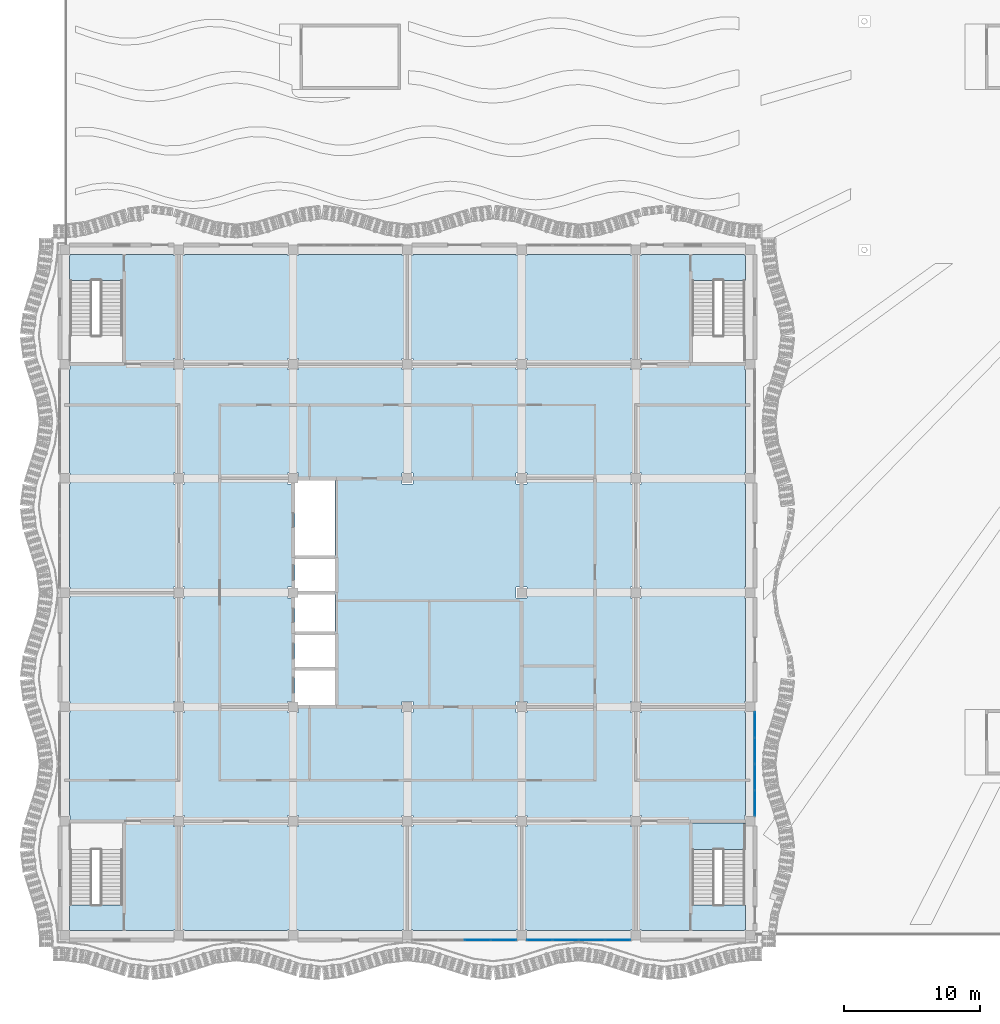
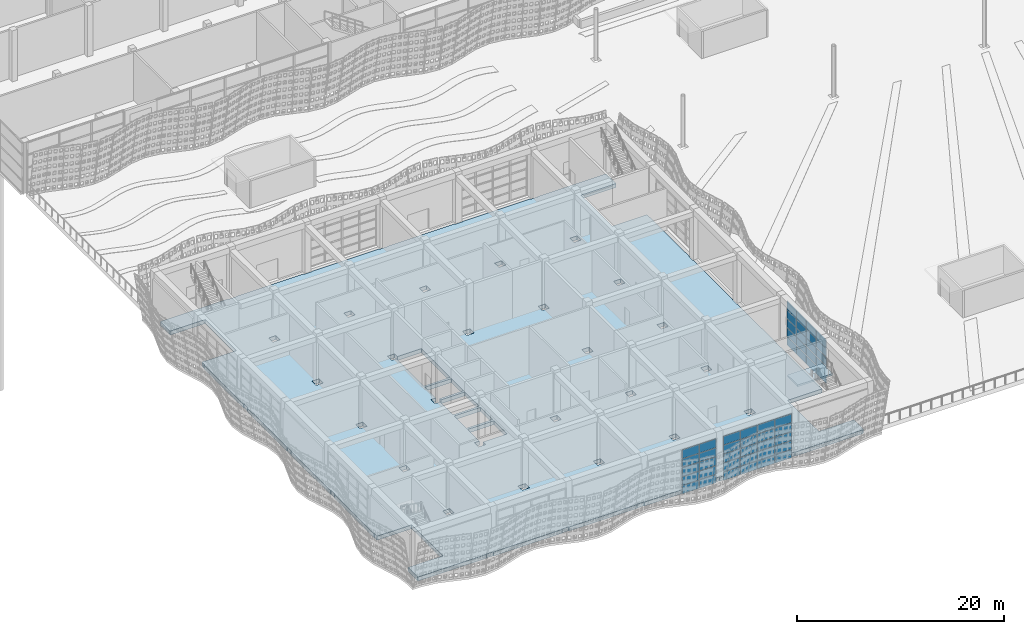
# One storey, part 78 of 210: 50 plates, 2 slabs, 4 elements without a shape of their own.
"""IFC4 building model written with IfcOpenShell, lengths in metres."""

from ifc_helpers import new_model, si_unit, direction, frame, origin, origin_2d, place, context, subcontext, project, spatial, polyline, rectangle, outline, extrude, material, layer, layer_set, type_object, element, aggregate, save


model = new_model("IFC4")

# Units and contexts
model_context = context("Model", 3, precision=1e-05, world=origin(), true_north=direction((0.0, 1.0)))
body_context = subcontext(model_context, "Body", "Model", "MODEL_VIEW")
ifc_project = project(units=[si_unit("LENGTHUNIT", "METRE"), si_unit("AREAUNIT", "SQUARE_METRE"), si_unit("VOLUMEUNIT", "CUBIC_METRE"), si_unit("PLANEANGLEUNIT", "RADIAN"), si_unit("MASSUNIT", "GRAM", prefix="KILO")], contexts=[model_context])

# Site, building, storey
site_placement = place(None, origin())
site = spatial("IfcSite", under=ifc_project, at=site_placement, CompositionType="ELEMENT")
building_placement = place(site_placement, origin())
building = spatial("IfcBuilding", under=site, at=building_placement, Name="Rain Tree Exposition and Congress Centre", CompositionType="ELEMENT")
storey_placement = place(building_placement, origin())
storey = spatial("IfcBuildingStorey", under=building, at=storey_placement, Name="L00", CompositionType="ELEMENT", Elevation=0.0)

# Curtain wall, plates
ifc_material_1 = material(Name="Aluminium curtain wall", Category="aluminium")
curtain_wall_type = type_object("IfcCurtainWallType", Name="Wing curtain wall 1925", PredefinedType="NOTDEFINED", material=ifc_material_1)
curtain_wall_1_placement = place(storey_placement, origin())
curtain_wall_1 = element("IfcCurtainWall", 1, at=curtain_wall_1_placement, inside=storey, type_object=curtain_wall_type, Name="Curtain wall CWW102", PredefinedType="NOTDEFINED")
ifc_material_2 = material(Name="Double glazed unit", Category="glass")
ifc_layer_1 = layer(ifc_material_2, 0.028076171875)
ifc_layer_set_1 = layer_set([ifc_layer_1], Name="Double glazed unit")
plate_type = type_object("IfcPlateType", Name="Wing glazing panel 28", PredefinedType="CURTAIN_PANEL", material=ifc_layer_set_1)
plate_1_placement = place(storey_placement, frame((30.362548828125, -0.35009765625, 0.06005859375), z_axis=(0.0, 0.0, 1.0), x_axis=(1.0, 0.0, 0.0)))
plate_1 = element("IfcPlate", 2, at=plate_1_placement, type_object=plate_type, Name="CWW102 panel 3.1", PredefinedType="CURTAIN_PANEL", context=body_context, shape_type="SweptSolid", body=[
    extrude(rectangle(XDim=1.864990234375, YDim=0.028076171875, at=origin_2d()), origin(), (0.0, 0.0, 1.0), 0.9599609375),
])
plate_2_placement = place(storey_placement, frame((30.362548828125, -0.35009765625, 1.080078125), z_axis=(0.0, 0.0, 1.0), x_axis=(1.0, 0.0, 0.0)))
plate_2 = element("IfcPlate", 3, at=plate_2_placement, type_object=plate_type, Name="CWW102 panel 3.2", PredefinedType="CURTAIN_PANEL", context=body_context, shape_type="SweptSolid", body=[
    extrude(rectangle(XDim=1.864990234375, YDim=0.028076171875, at=origin_2d()), origin(), (0.0, 0.0, 1.0), 0.989990234375),
])
plate_3_placement = place(storey_placement, frame((30.362548828125, -0.35009765625, 2.1298828125), z_axis=(0.0, 0.0, 1.0), x_axis=(1.0, 0.0, 0.0)))
plate_3 = element("IfcPlate", 4, at=plate_3_placement, type_object=plate_type, Name="CWW102 panel 3.3", PredefinedType="CURTAIN_PANEL", context=body_context, shape_type="SweptSolid", body=[
    extrude(rectangle(XDim=1.864990234375, YDim=0.028076171875, at=origin_2d()), origin(), (0.0, 0.0, 1.0), 0.989990234375),
])
plate_4_placement = place(storey_placement, frame((30.362548828125, -0.35009765625, 3.18017578125), z_axis=(0.0, 0.0, 1.0), x_axis=(1.0, 0.0, 0.0)))
plate_4 = element("IfcPlate", 5, at=plate_4_placement, type_object=plate_type, Name="CWW102 panel 3.4", PredefinedType="CURTAIN_PANEL", context=body_context, shape_type="SweptSolid", body=[
    extrude(rectangle(XDim=1.864990234375, YDim=0.028076171875, at=origin_2d()), origin(), (0.0, 0.0, 1.0), 0.989990234375),
])
plate_5_placement = place(storey_placement, frame((30.362548828125, -0.35009765625, 4.22998046875), z_axis=(0.0, 0.0, 1.0), x_axis=(1.0, 0.0, 0.0)))
plate_5 = element("IfcPlate", 6, at=plate_5_placement, type_object=plate_type, Name="CWW102 panel 3.5", PredefinedType="CURTAIN_PANEL", context=body_context, shape_type="SweptSolid", body=[
    extrude(rectangle(XDim=1.864990234375, YDim=0.028076171875, at=origin_2d()), origin(), (0.0, 0.0, 1.0), 1.010009765625),
])
plate_6_placement = place(storey_placement, frame((32.2724609375, -0.35009765625, 0.06005859375), z_axis=(0.0, 0.0, 1.0), x_axis=(1.0, 0.0, 0.0)))
plate_6 = element("IfcPlate", 7, at=plate_6_placement, type_object=plate_type, Name="CWW102 panel 4.1", PredefinedType="CURTAIN_PANEL", context=body_context, shape_type="SweptSolid", body=[
    extrude(rectangle(XDim=1.8349609375, YDim=0.028076171875, at=origin_2d()), origin(), (0.0, 0.0, 1.0), 0.9599609375),
])
plate_7_placement = place(storey_placement, frame((32.2724609375, -0.35009765625, 1.080078125), z_axis=(0.0, 0.0, 1.0), x_axis=(1.0, 0.0, 0.0)))
plate_7 = element("IfcPlate", 8, at=plate_7_placement, type_object=plate_type, Name="CWW102 panel 4.2", PredefinedType="CURTAIN_PANEL", context=body_context, shape_type="SweptSolid", body=[
    extrude(rectangle(XDim=1.8349609375, YDim=0.028076171875, at=origin_2d()), origin(), (0.0, 0.0, 1.0), 0.989990234375),
])
plate_8_placement = place(storey_placement, frame((32.2724609375, -0.35009765625, 2.1298828125), z_axis=(0.0, 0.0, 1.0), x_axis=(1.0, 0.0, 0.0)))
plate_8 = element("IfcPlate", 9, at=plate_8_placement, type_object=plate_type, Name="CWW102 panel 4.3", PredefinedType="CURTAIN_PANEL", context=body_context, shape_type="SweptSolid", body=[
    extrude(rectangle(XDim=1.8349609375, YDim=0.028076171875, at=origin_2d()), origin(), (0.0, 0.0, 1.0), 0.989990234375),
])
plate_9_placement = place(storey_placement, frame((32.2724609375, -0.35009765625, 3.18017578125), z_axis=(0.0, 0.0, 1.0), x_axis=(1.0, 0.0, 0.0)))
plate_9 = element("IfcPlate", 10, at=plate_9_placement, type_object=plate_type, Name="CWW102 panel 4.4", PredefinedType="CURTAIN_PANEL", context=body_context, shape_type="SweptSolid", body=[
    extrude(rectangle(XDim=1.8349609375, YDim=0.028076171875, at=origin_2d()), origin(), (0.0, 0.0, 1.0), 0.989990234375),
])
plate_10_placement = place(storey_placement, frame((32.2724609375, -0.35009765625, 4.22998046875), z_axis=(0.0, 0.0, 1.0), x_axis=(1.0, 0.0, 0.0)))
plate_10 = element("IfcPlate", 11, at=plate_10_placement, type_object=plate_type, Name="CWW102 panel 4.5", PredefinedType="CURTAIN_PANEL", context=body_context, shape_type="SweptSolid", body=[
    extrude(rectangle(XDim=1.8349609375, YDim=0.028076171875, at=origin_2d()), origin(), (0.0, 0.0, 1.0), 1.010009765625),
])
aggregate(curtain_wall_1, [plate_1, plate_2, plate_3, plate_4, plate_5, plate_6, plate_7, plate_8, plate_9, plate_10])

curtain_wall_2_placement = place(storey_placement, origin())
curtain_wall_2 = element("IfcCurtainWall", 12, at=curtain_wall_2_placement, inside=storey, type_object=curtain_wall_type, Name="Curtain wall CWW103", PredefinedType="NOTDEFINED")
plate_11_placement = place(storey_placement, frame((34.927490234375, -0.35009765625, 0.06005859375), z_axis=(0.0, 0.0, 1.0), x_axis=(1.0, 0.0, 0.0)))
plate_11 = element("IfcPlate", 13, at=plate_11_placement, type_object=plate_type, Name="CWW103 panel 1.1", PredefinedType="CURTAIN_PANEL", context=body_context, shape_type="SweptSolid", body=[
    extrude(rectangle(XDim=1.8349609375, YDim=0.028076171875, at=origin_2d()), origin(), (0.0, 0.0, 1.0), 0.9599609375),
])
plate_12_placement = place(storey_placement, frame((34.927490234375, -0.35009765625, 1.080078125), z_axis=(0.0, 0.0, 1.0), x_axis=(1.0, 0.0, 0.0)))
plate_12 = element("IfcPlate", 14, at=plate_12_placement, type_object=plate_type, Name="CWW103 panel 1.2", PredefinedType="CURTAIN_PANEL", context=body_context, shape_type="SweptSolid", body=[
    extrude(rectangle(XDim=1.8349609375, YDim=0.028076171875, at=origin_2d()), origin(), (0.0, 0.0, 1.0), 0.989990234375),
])
plate_13_placement = place(storey_placement, frame((34.927490234375, -0.35009765625, 2.1298828125), z_axis=(0.0, 0.0, 1.0), x_axis=(1.0, 0.0, 0.0)))
plate_13 = element("IfcPlate", 15, at=plate_13_placement, type_object=plate_type, Name="CWW103 panel 1.3", PredefinedType="CURTAIN_PANEL", context=body_context, shape_type="SweptSolid", body=[
    extrude(rectangle(XDim=1.8349609375, YDim=0.028076171875, at=origin_2d()), origin(), (0.0, 0.0, 1.0), 0.989990234375),
])
plate_14_placement = place(storey_placement, frame((34.927490234375, -0.35009765625, 3.18017578125), z_axis=(0.0, 0.0, 1.0), x_axis=(1.0, 0.0, 0.0)))
plate_14 = element("IfcPlate", 16, at=plate_14_placement, type_object=plate_type, Name="CWW103 panel 1.4", PredefinedType="CURTAIN_PANEL", context=body_context, shape_type="SweptSolid", body=[
    extrude(rectangle(XDim=1.8349609375, YDim=0.028076171875, at=origin_2d()), origin(), (0.0, 0.0, 1.0), 0.989990234375),
])
plate_15_placement = place(storey_placement, frame((34.927490234375, -0.35009765625, 4.22998046875), z_axis=(0.0, 0.0, 1.0), x_axis=(1.0, 0.0, 0.0)))
plate_15 = element("IfcPlate", 17, at=plate_15_placement, type_object=plate_type, Name="CWW103 panel 1.5", PredefinedType="CURTAIN_PANEL", context=body_context, shape_type="SweptSolid", body=[
    extrude(rectangle(XDim=1.8349609375, YDim=0.028076171875, at=origin_2d()), origin(), (0.0, 0.0, 1.0), 1.010009765625),
])
plate_16_placement = place(storey_placement, frame((36.83740234375, -0.35009765625, 0.06005859375), z_axis=(0.0, 0.0, 1.0), x_axis=(1.0, 0.0, 0.0)))
plate_16 = element("IfcPlate", 18, at=plate_16_placement, type_object=plate_type, Name="CWW103 panel 2.1", PredefinedType="CURTAIN_PANEL", context=body_context, shape_type="SweptSolid", body=[
    extrude(rectangle(XDim=1.864990234375, YDim=0.028076171875, at=origin_2d()), origin(), (0.0, 0.0, 1.0), 0.9599609375),
])
plate_17_placement = place(storey_placement, frame((36.83740234375, -0.35009765625, 1.080078125), z_axis=(0.0, 0.0, 1.0), x_axis=(1.0, 0.0, 0.0)))
plate_17 = element("IfcPlate", 19, at=plate_17_placement, type_object=plate_type, Name="CWW103 panel 2.2", PredefinedType="CURTAIN_PANEL", context=body_context, shape_type="SweptSolid", body=[
    extrude(rectangle(XDim=1.864990234375, YDim=0.028076171875, at=origin_2d()), origin(), (0.0, 0.0, 1.0), 0.989990234375),
])
plate_18_placement = place(storey_placement, frame((36.83740234375, -0.35009765625, 2.1298828125), z_axis=(0.0, 0.0, 1.0), x_axis=(1.0, 0.0, 0.0)))
plate_18 = element("IfcPlate", 20, at=plate_18_placement, type_object=plate_type, Name="CWW103 panel 2.3", PredefinedType="CURTAIN_PANEL", context=body_context, shape_type="SweptSolid", body=[
    extrude(rectangle(XDim=1.864990234375, YDim=0.028076171875, at=origin_2d()), origin(), (0.0, 0.0, 1.0), 0.989990234375),
])
plate_19_placement = place(storey_placement, frame((36.83740234375, -0.35009765625, 3.18017578125), z_axis=(0.0, 0.0, 1.0), x_axis=(1.0, 0.0, 0.0)))
plate_19 = element("IfcPlate", 21, at=plate_19_placement, type_object=plate_type, Name="CWW103 panel 2.4", PredefinedType="CURTAIN_PANEL", context=body_context, shape_type="SweptSolid", body=[
    extrude(rectangle(XDim=1.864990234375, YDim=0.028076171875, at=origin_2d()), origin(), (0.0, 0.0, 1.0), 0.989990234375),
])
plate_20_placement = place(storey_placement, frame((36.83740234375, -0.35009765625, 4.22998046875), z_axis=(0.0, 0.0, 1.0), x_axis=(1.0, 0.0, 0.0)))
plate_20 = element("IfcPlate", 22, at=plate_20_placement, type_object=plate_type, Name="CWW103 panel 2.5", PredefinedType="CURTAIN_PANEL", context=body_context, shape_type="SweptSolid", body=[
    extrude(rectangle(XDim=1.864990234375, YDim=0.028076171875, at=origin_2d()), origin(), (0.0, 0.0, 1.0), 1.010009765625),
])
plate_21_placement = place(storey_placement, frame((38.762451171875, -0.35009765625, 0.06005859375), z_axis=(0.0, 0.0, 1.0), x_axis=(1.0, 0.0, 0.0)))
plate_21 = element("IfcPlate", 23, at=plate_21_placement, type_object=plate_type, Name="CWW103 panel 3.1", PredefinedType="CURTAIN_PANEL", context=body_context, shape_type="SweptSolid", body=[
    extrude(rectangle(XDim=1.864990234375, YDim=0.028076171875, at=origin_2d()), origin(), (0.0, 0.0, 1.0), 0.9599609375),
])
plate_22_placement = place(storey_placement, frame((38.762451171875, -0.35009765625, 1.080078125), z_axis=(0.0, 0.0, 1.0), x_axis=(1.0, 0.0, 0.0)))
plate_22 = element("IfcPlate", 24, at=plate_22_placement, type_object=plate_type, Name="CWW103 panel 3.2", PredefinedType="CURTAIN_PANEL", context=body_context, shape_type="SweptSolid", body=[
    extrude(rectangle(XDim=1.864990234375, YDim=0.028076171875, at=origin_2d()), origin(), (0.0, 0.0, 1.0), 0.989990234375),
])
plate_23_placement = place(storey_placement, frame((38.762451171875, -0.35009765625, 2.1298828125), z_axis=(0.0, 0.0, 1.0), x_axis=(1.0, 0.0, 0.0)))
plate_23 = element("IfcPlate", 25, at=plate_23_placement, type_object=plate_type, Name="CWW103 panel 3.3", PredefinedType="CURTAIN_PANEL", context=body_context, shape_type="SweptSolid", body=[
    extrude(rectangle(XDim=1.864990234375, YDim=0.028076171875, at=origin_2d()), origin(), (0.0, 0.0, 1.0), 0.989990234375),
])
plate_24_placement = place(storey_placement, frame((38.762451171875, -0.35009765625, 3.18017578125), z_axis=(0.0, 0.0, 1.0), x_axis=(1.0, 0.0, 0.0)))
plate_24 = element("IfcPlate", 26, at=plate_24_placement, type_object=plate_type, Name="CWW103 panel 3.4", PredefinedType="CURTAIN_PANEL", context=body_context, shape_type="SweptSolid", body=[
    extrude(rectangle(XDim=1.864990234375, YDim=0.028076171875, at=origin_2d()), origin(), (0.0, 0.0, 1.0), 0.989990234375),
])
plate_25_placement = place(storey_placement, frame((38.762451171875, -0.35009765625, 4.22998046875), z_axis=(0.0, 0.0, 1.0), x_axis=(1.0, 0.0, 0.0)))
plate_25 = element("IfcPlate", 27, at=plate_25_placement, type_object=plate_type, Name="CWW103 panel 3.5", PredefinedType="CURTAIN_PANEL", context=body_context, shape_type="SweptSolid", body=[
    extrude(rectangle(XDim=1.864990234375, YDim=0.028076171875, at=origin_2d()), origin(), (0.0, 0.0, 1.0), 1.010009765625),
])
plate_26_placement = place(storey_placement, frame((40.672607421875, -0.35009765625, 0.06005859375), z_axis=(0.0, 0.0, 1.0), x_axis=(1.0, 0.0, 0.0)))
plate_26 = element("IfcPlate", 28, at=plate_26_placement, type_object=plate_type, Name="CWW103 panel 4.1", PredefinedType="CURTAIN_PANEL", context=body_context, shape_type="SweptSolid", body=[
    extrude(rectangle(XDim=1.8349609375, YDim=0.028076171875, at=origin_2d()), origin(), (0.0, 0.0, 1.0), 0.9599609375),
])
plate_27_placement = place(storey_placement, frame((40.672607421875, -0.35009765625, 1.080078125), z_axis=(0.0, 0.0, 1.0), x_axis=(1.0, 0.0, 0.0)))
plate_27 = element("IfcPlate", 29, at=plate_27_placement, type_object=plate_type, Name="CWW103 panel 4.2", PredefinedType="CURTAIN_PANEL", context=body_context, shape_type="SweptSolid", body=[
    extrude(rectangle(XDim=1.8349609375, YDim=0.028076171875, at=origin_2d()), origin(), (0.0, 0.0, 1.0), 0.989990234375),
])
plate_28_placement = place(storey_placement, frame((40.672607421875, -0.35009765625, 2.1298828125), z_axis=(0.0, 0.0, 1.0), x_axis=(1.0, 0.0, 0.0)))
plate_28 = element("IfcPlate", 30, at=plate_28_placement, type_object=plate_type, Name="CWW103 panel 4.3", PredefinedType="CURTAIN_PANEL", context=body_context, shape_type="SweptSolid", body=[
    extrude(rectangle(XDim=1.8349609375, YDim=0.028076171875, at=origin_2d()), origin(), (0.0, 0.0, 1.0), 0.989990234375),
])
plate_29_placement = place(storey_placement, frame((40.672607421875, -0.35009765625, 3.18017578125), z_axis=(0.0, 0.0, 1.0), x_axis=(1.0, 0.0, 0.0)))
plate_29 = element("IfcPlate", 31, at=plate_29_placement, type_object=plate_type, Name="CWW103 panel 4.4", PredefinedType="CURTAIN_PANEL", context=body_context, shape_type="SweptSolid", body=[
    extrude(rectangle(XDim=1.8349609375, YDim=0.028076171875, at=origin_2d()), origin(), (0.0, 0.0, 1.0), 0.989990234375),
])
plate_30_placement = place(storey_placement, frame((40.672607421875, -0.35009765625, 4.22998046875), z_axis=(0.0, 0.0, 1.0), x_axis=(1.0, 0.0, 0.0)))
plate_30 = element("IfcPlate", 32, at=plate_30_placement, type_object=plate_type, Name="CWW103 panel 4.5", PredefinedType="CURTAIN_PANEL", context=body_context, shape_type="SweptSolid", body=[
    extrude(rectangle(XDim=1.8349609375, YDim=0.028076171875, at=origin_2d()), origin(), (0.0, 0.0, 1.0), 1.010009765625),
])
aggregate(curtain_wall_2, [plate_11, plate_12, plate_13, plate_14, plate_15, plate_16, plate_17, plate_18, plate_19, plate_20, plate_21, plate_22, plate_23, plate_24, plate_25, plate_26, plate_27, plate_28, plate_29, plate_30])

curtain_wall_3_placement = place(storey_placement, origin())
curtain_wall_3 = element("IfcCurtainWall", 33, at=curtain_wall_3_placement, inside=storey, type_object=curtain_wall_type, Name="Curtain wall CWW109", PredefinedType="NOTDEFINED")
plate_31_placement = place(storey_placement, frame((50.75, 9.7275390625, 0.06005859375), z_axis=(0.0, 0.0, 1.0), x_axis=(0.0, 1.0, 0.0)))
plate_31 = element("IfcPlate", 34, at=plate_31_placement, type_object=plate_type, Name="CWW109 panel 1.1", PredefinedType="CURTAIN_PANEL", context=body_context, shape_type="SweptSolid", body=[
    extrude(rectangle(XDim=1.8349609375, YDim=0.028076171875, at=origin_2d()), origin(), (0.0, 0.0, 1.0), 0.9599609375),
])
plate_32_placement = place(storey_placement, frame((50.75, 9.7275390625, 1.080078125), z_axis=(0.0, 0.0, 1.0), x_axis=(0.0, 1.0, 0.0)))
plate_32 = element("IfcPlate", 35, at=plate_32_placement, type_object=plate_type, Name="CWW109 panel 1.2", PredefinedType="CURTAIN_PANEL", context=body_context, shape_type="SweptSolid", body=[
    extrude(rectangle(XDim=1.8349609375, YDim=0.028076171875, at=origin_2d()), origin(), (0.0, 0.0, 1.0), 0.989990234375),
])
plate_33_placement = place(storey_placement, frame((50.75, 9.7275390625, 2.1298828125), z_axis=(0.0, 0.0, 1.0), x_axis=(0.0, 1.0, 0.0)))
plate_33 = element("IfcPlate", 36, at=plate_33_placement, type_object=plate_type, Name="CWW109 panel 1.3", PredefinedType="CURTAIN_PANEL", context=body_context, shape_type="SweptSolid", body=[
    extrude(rectangle(XDim=1.8349609375, YDim=0.028076171875, at=origin_2d()), origin(), (0.0, 0.0, 1.0), 0.989990234375),
])
plate_34_placement = place(storey_placement, frame((50.75, 9.7275390625, 3.18017578125), z_axis=(0.0, 0.0, 1.0), x_axis=(0.0, 1.0, 0.0)))
plate_34 = element("IfcPlate", 37, at=plate_34_placement, type_object=plate_type, Name="CWW109 panel 1.4", PredefinedType="CURTAIN_PANEL", context=body_context, shape_type="SweptSolid", body=[
    extrude(rectangle(XDim=1.8349609375, YDim=0.028076171875, at=origin_2d()), origin(), (0.0, 0.0, 1.0), 0.989990234375),
])
plate_35_placement = place(storey_placement, frame((50.75, 9.7275390625, 4.22998046875), z_axis=(0.0, 0.0, 1.0), x_axis=(0.0, 1.0, 0.0)))
plate_35 = element("IfcPlate", 38, at=plate_35_placement, type_object=plate_type, Name="CWW109 panel 1.5", PredefinedType="CURTAIN_PANEL", context=body_context, shape_type="SweptSolid", body=[
    extrude(rectangle(XDim=1.8349609375, YDim=0.028076171875, at=origin_2d()), origin(), (0.0, 0.0, 1.0), 1.010009765625),
])
plate_36_placement = place(storey_placement, frame((50.75, 11.637451171875, 0.06005859375), z_axis=(0.0, 0.0, 1.0), x_axis=(0.0, 1.0, 0.0)))
plate_36 = element("IfcPlate", 39, at=plate_36_placement, type_object=plate_type, Name="CWW109 panel 2.1", PredefinedType="CURTAIN_PANEL", context=body_context, shape_type="SweptSolid", body=[
    extrude(rectangle(XDim=1.864990234375, YDim=0.028076171875, at=origin_2d()), origin(), (0.0, 0.0, 1.0), 0.9599609375),
])
plate_37_placement = place(storey_placement, frame((50.75, 11.637451171875, 1.080078125), z_axis=(0.0, 0.0, 1.0), x_axis=(0.0, 1.0, 0.0)))
plate_37 = element("IfcPlate", 40, at=plate_37_placement, type_object=plate_type, Name="CWW109 panel 2.2", PredefinedType="CURTAIN_PANEL", context=body_context, shape_type="SweptSolid", body=[
    extrude(rectangle(XDim=1.864990234375, YDim=0.028076171875, at=origin_2d()), origin(), (0.0, 0.0, 1.0), 0.989990234375),
])
plate_38_placement = place(storey_placement, frame((50.75, 11.637451171875, 2.1298828125), z_axis=(0.0, 0.0, 1.0), x_axis=(0.0, 1.0, 0.0)))
plate_38 = element("IfcPlate", 41, at=plate_38_placement, type_object=plate_type, Name="CWW109 panel 2.3", PredefinedType="CURTAIN_PANEL", context=body_context, shape_type="SweptSolid", body=[
    extrude(rectangle(XDim=1.864990234375, YDim=0.028076171875, at=origin_2d()), origin(), (0.0, 0.0, 1.0), 0.989990234375),
])
plate_39_placement = place(storey_placement, frame((50.75, 11.637451171875, 3.18017578125), z_axis=(0.0, 0.0, 1.0), x_axis=(0.0, 1.0, 0.0)))
plate_39 = element("IfcPlate", 42, at=plate_39_placement, type_object=plate_type, Name="CWW109 panel 2.4", PredefinedType="CURTAIN_PANEL", context=body_context, shape_type="SweptSolid", body=[
    extrude(rectangle(XDim=1.864990234375, YDim=0.028076171875, at=origin_2d()), origin(), (0.0, 0.0, 1.0), 0.989990234375),
])
plate_40_placement = place(storey_placement, frame((50.75, 11.637451171875, 4.22998046875), z_axis=(0.0, 0.0, 1.0), x_axis=(0.0, 1.0, 0.0)))
plate_40 = element("IfcPlate", 43, at=plate_40_placement, type_object=plate_type, Name="CWW109 panel 2.5", PredefinedType="CURTAIN_PANEL", context=body_context, shape_type="SweptSolid", body=[
    extrude(rectangle(XDim=1.864990234375, YDim=0.028076171875, at=origin_2d()), origin(), (0.0, 0.0, 1.0), 1.010009765625),
])
plate_41_placement = place(storey_placement, frame((50.75, 13.5625, 0.06005859375), z_axis=(0.0, 0.0, 1.0), x_axis=(0.0, 1.0, 0.0)))
plate_41 = element("IfcPlate", 44, at=plate_41_placement, type_object=plate_type, Name="CWW109 panel 3.1", PredefinedType="CURTAIN_PANEL", context=body_context, shape_type="SweptSolid", body=[
    extrude(rectangle(XDim=1.864990234375, YDim=0.028076171875, at=origin_2d()), origin(), (0.0, 0.0, 1.0), 0.9599609375),
])
plate_42_placement = place(storey_placement, frame((50.75, 13.5625, 1.080078125), z_axis=(0.0, 0.0, 1.0), x_axis=(0.0, 1.0, 0.0)))
plate_42 = element("IfcPlate", 45, at=plate_42_placement, type_object=plate_type, Name="CWW109 panel 3.2", PredefinedType="CURTAIN_PANEL", context=body_context, shape_type="SweptSolid", body=[
    extrude(rectangle(XDim=1.864990234375, YDim=0.028076171875, at=origin_2d()), origin(), (0.0, 0.0, 1.0), 0.989990234375),
])
plate_43_placement = place(storey_placement, frame((50.75, 13.5625, 2.1298828125), z_axis=(0.0, 0.0, 1.0), x_axis=(0.0, 1.0, 0.0)))
plate_43 = element("IfcPlate", 46, at=plate_43_placement, type_object=plate_type, Name="CWW109 panel 3.3", PredefinedType="CURTAIN_PANEL", context=body_context, shape_type="SweptSolid", body=[
    extrude(rectangle(XDim=1.864990234375, YDim=0.028076171875, at=origin_2d()), origin(), (0.0, 0.0, 1.0), 0.989990234375),
])
plate_44_placement = place(storey_placement, frame((50.75, 13.5625, 3.18017578125), z_axis=(0.0, 0.0, 1.0), x_axis=(0.0, 1.0, 0.0)))
plate_44 = element("IfcPlate", 47, at=plate_44_placement, type_object=plate_type, Name="CWW109 panel 3.4", PredefinedType="CURTAIN_PANEL", context=body_context, shape_type="SweptSolid", body=[
    extrude(rectangle(XDim=1.864990234375, YDim=0.028076171875, at=origin_2d()), origin(), (0.0, 0.0, 1.0), 0.989990234375),
])
plate_45_placement = place(storey_placement, frame((50.75, 13.5625, 4.22998046875), z_axis=(0.0, 0.0, 1.0), x_axis=(0.0, 1.0, 0.0)))
plate_45 = element("IfcPlate", 48, at=plate_45_placement, type_object=plate_type, Name="CWW109 panel 3.5", PredefinedType="CURTAIN_PANEL", context=body_context, shape_type="SweptSolid", body=[
    extrude(rectangle(XDim=1.864990234375, YDim=0.028076171875, at=origin_2d()), origin(), (0.0, 0.0, 1.0), 1.010009765625),
])
plate_46_placement = place(storey_placement, frame((50.75, 15.472412109375, 0.06005859375), z_axis=(0.0, 0.0, 1.0), x_axis=(0.0, 1.0, 0.0)))
plate_46 = element("IfcPlate", 49, at=plate_46_placement, type_object=plate_type, Name="CWW109 panel 4.1", PredefinedType="CURTAIN_PANEL", context=body_context, shape_type="SweptSolid", body=[
    extrude(rectangle(XDim=1.8349609375, YDim=0.028076171875, at=origin_2d()), origin(), (0.0, 0.0, 1.0), 0.9599609375),
])
plate_47_placement = place(storey_placement, frame((50.75, 15.472412109375, 1.080078125), z_axis=(0.0, 0.0, 1.0), x_axis=(0.0, 1.0, 0.0)))
plate_47 = element("IfcPlate", 50, at=plate_47_placement, type_object=plate_type, Name="CWW109 panel 4.2", PredefinedType="CURTAIN_PANEL", context=body_context, shape_type="SweptSolid", body=[
    extrude(rectangle(XDim=1.8349609375, YDim=0.028076171875, at=origin_2d()), origin(), (0.0, 0.0, 1.0), 0.989990234375),
])
plate_48_placement = place(storey_placement, frame((50.75, 15.472412109375, 2.1298828125), z_axis=(0.0, 0.0, 1.0), x_axis=(0.0, 1.0, 0.0)))
plate_48 = element("IfcPlate", 51, at=plate_48_placement, type_object=plate_type, Name="CWW109 panel 4.3", PredefinedType="CURTAIN_PANEL", context=body_context, shape_type="SweptSolid", body=[
    extrude(rectangle(XDim=1.8349609375, YDim=0.028076171875, at=origin_2d()), origin(), (0.0, 0.0, 1.0), 0.989990234375),
])
plate_49_placement = place(storey_placement, frame((50.75, 15.472412109375, 3.18017578125), z_axis=(0.0, 0.0, 1.0), x_axis=(0.0, 1.0, 0.0)))
plate_49 = element("IfcPlate", 52, at=plate_49_placement, type_object=plate_type, Name="CWW109 panel 4.4", PredefinedType="CURTAIN_PANEL", context=body_context, shape_type="SweptSolid", body=[
    extrude(rectangle(XDim=1.8349609375, YDim=0.028076171875, at=origin_2d()), origin(), (0.0, 0.0, 1.0), 0.989990234375),
])
plate_50_placement = place(storey_placement, frame((50.75, 15.472412109375, 4.22998046875), z_axis=(0.0, 0.0, 1.0), x_axis=(0.0, 1.0, 0.0)))
plate_50 = element("IfcPlate", 53, at=plate_50_placement, type_object=plate_type, Name="CWW109 panel 4.5", PredefinedType="CURTAIN_PANEL", context=body_context, shape_type="SweptSolid", body=[
    extrude(rectangle(XDim=1.8349609375, YDim=0.028076171875, at=origin_2d()), origin(), (0.0, 0.0, 1.0), 1.010009765625),
])
aggregate(curtain_wall_3, [plate_31, plate_32, plate_33, plate_34, plate_35, plate_36, plate_37, plate_38, plate_39, plate_40, plate_41, plate_42, plate_43, plate_44, plate_45, plate_46, plate_47, plate_48, plate_49, plate_50])

# Slab
ifc_material_3 = material(Name="Precast concrete C50/60", Category="concrete")
ifc_layer_2 = layer(ifc_material_3, 0.4599609375)
ifc_layer_set_2 = layer_set([ifc_layer_2], Name="Precast concrete C50/60")
slab_type_1 = type_object("IfcSlabType", Name="Wing precast hollow-core floor 460", PredefinedType="FLOOR", material=ifc_layer_set_2)
slab_1_placement = place(storey_placement, frame((0.0, 0.0, -0.4599609375)))
element("IfcSlab", 54, at=slab_1_placement, inside=storey, type_object=slab_type_1, Name="wing/slab/L00/01", PredefinedType="FLOOR", context=body_context, shape_type="SweptSolid", body=[
    extrude(outline(polyline([(50.050048828125, 0.39990234375), (50.050048828125, 2.251953125), (46.14990234375, 2.251953125), (46.14990234375, 8.27490234375), (50.0, 8.27490234375), (50.0, 8.800048828125), (50.050048828125, 8.800048828125), (50.050048828125, 16.39990234375), (50.0, 16.39990234375), (50.0, 17.199951171875), (50.050048828125, 17.199951171875), (50.050048828125, 24.800048828125), (50.0, 24.800048828125), (50.0, 25.60009765625), (50.050048828125, 25.60009765625), (50.050048828125, 33.199951171875), (50.0, 33.199951171875), (50.0, 34.0), (50.050048828125, 34.0), (50.050048828125, 41.60009765625), (50.0, 41.60009765625), (50.0, 42.125), (46.14990234375, 42.125), (46.14990234375, 48.14794921875), (50.050048828125, 48.14794921875), (50.050048828125, 50.0), (50.0, 50.0), (50.0, 50.050048828125), (42.39990234375, 50.050048828125), (42.39990234375, 50.0), (41.60009765625, 50.0), (41.60009765625, 50.050048828125), (34.0, 50.050048828125), (34.0, 50.0), (33.199951171875, 50.0), (33.199951171875, 50.050048828125), (25.60009765625, 50.050048828125), (25.60009765625, 50.0), (24.800048828125, 50.0), (24.800048828125, 50.050048828125), (17.199951171875, 50.050048828125), (17.199951171875, 50.0), (16.39990234375, 50.0), (16.39990234375, 50.050048828125), (8.800048828125, 50.050048828125), (8.800048828125, 50.0), (8.0, 50.0), (8.0, 50.050048828125), (0.39990234375, 50.050048828125), (0.39990234375, 50.0), (0.35009765625, 50.0), (0.35009765625, 48.14794921875), (4.25, 48.14794921875), (4.25, 42.125), (0.39990234375, 42.125), (0.39990234375, 41.60009765625), (0.35009765625, 41.60009765625), (0.35009765625, 34.0), (0.39990234375, 34.0), (0.39990234375, 33.199951171875), (0.35009765625, 33.199951171875), (0.35009765625, 25.60009765625), (0.39990234375, 25.60009765625), (0.39990234375, 24.800048828125), (0.35009765625, 24.800048828125), (0.35009765625, 17.199951171875), (0.39990234375, 17.199951171875), (0.39990234375, 16.39990234375), (0.35009765625, 16.39990234375), (0.35009765625, 8.800048828125), (0.39990234375, 8.800048828125), (0.39990234375, 8.27490234375), (4.25, 8.27490234375), (4.25, 2.251953125), (0.35009765625, 2.251953125), (0.35009765625, 0.39990234375), (0.39990234375, 0.39990234375), (0.39990234375, 0.35009765625), (8.0, 0.35009765625), (8.0, 0.39990234375), (8.800048828125, 0.39990234375), (8.800048828125, 0.35009765625), (16.39990234375, 0.35009765625), (16.39990234375, 0.39990234375), (17.199951171875, 0.39990234375), (17.199951171875, 0.35009765625), (24.800048828125, 0.35009765625), (24.800048828125, 0.39990234375), (25.60009765625, 0.39990234375), (25.60009765625, 0.35009765625), (33.199951171875, 0.35009765625), (33.199951171875, 0.39990234375), (34.0, 0.39990234375), (34.0, 0.35009765625), (41.60009765625, 0.35009765625), (41.60009765625, 0.39990234375), (42.39990234375, 0.39990234375), (42.39990234375, 0.35009765625), (50.0, 0.35009765625), (50.0, 0.39990234375), (50.050048828125, 0.39990234375)]), holes=[polyline([(8.0, 8.0), (8.0, 8.800048828125), (8.800048828125, 8.800048828125), (8.800048828125, 8.0), (8.0, 8.0)]), polyline([(8.0, 16.39990234375), (8.0, 17.199951171875), (8.800048828125, 17.199951171875), (8.800048828125, 16.39990234375), (8.0, 16.39990234375)]), polyline([(8.800048828125, 24.800048828125), (8.0, 24.800048828125), (8.0, 25.60009765625), (8.800048828125, 25.60009765625), (8.800048828125, 24.800048828125)]), polyline([(8.0, 33.199951171875), (8.0, 34.0), (8.800048828125, 34.0), (8.800048828125, 33.199951171875), (8.0, 33.199951171875)]), polyline([(16.39990234375, 33.199951171875), (16.39990234375, 34.0), (17.199951171875, 34.0), (17.199951171875, 33.47509765625), (19.875, 33.47509765625), (19.875, 27.925048828125), (16.949951171875, 27.925048828125), (16.949951171875, 33.199951171875), (16.39990234375, 33.199951171875)]), polyline([(8.0, 41.60009765625), (8.0, 42.39990234375), (8.800048828125, 42.39990234375), (8.800048828125, 41.60009765625), (8.0, 41.60009765625)]), polyline([(17.199951171875, 41.60009765625), (16.39990234375, 41.60009765625), (16.39990234375, 42.39990234375), (17.199951171875, 42.39990234375), (17.199951171875, 41.60009765625)]), polyline([(33.199951171875, 8.0), (33.199951171875, 8.800048828125), (34.0, 8.800048828125), (34.0, 8.0), (33.199951171875, 8.0)]), polyline([(16.39990234375, 8.0), (16.39990234375, 8.800048828125), (17.199951171875, 8.800048828125), (17.199951171875, 8.0), (16.39990234375, 8.0)]), polyline([(24.800048828125, 8.0), (24.800048828125, 8.800048828125), (25.60009765625, 8.800048828125), (25.60009765625, 8.0), (24.800048828125, 8.0)]), polyline([(16.39990234375, 16.39990234375), (16.39990234375, 17.199951171875), (16.949951171875, 17.199951171875), (16.949951171875, 19.47509765625), (19.875, 19.47509765625), (19.875, 16.925048828125), (17.199951171875, 16.925048828125), (17.199951171875, 16.39990234375), (16.39990234375, 16.39990234375)]), polyline([(33.199951171875, 16.39990234375), (33.199951171875, 17.199951171875), (34.0, 17.199951171875), (34.0, 16.39990234375), (33.199951171875, 16.39990234375)]), polyline([(24.800048828125, 16.39990234375), (24.800048828125, 17.199951171875), (25.60009765625, 17.199951171875), (25.60009765625, 16.39990234375), (24.800048828125, 16.39990234375)]), polyline([(16.949951171875, 19.72509765625), (16.949951171875, 22.074951171875), (19.875, 22.074951171875), (19.875, 19.72509765625), (16.949951171875, 19.72509765625)]), polyline([(16.949951171875, 22.324951171875), (16.949951171875, 24.800048828125), (16.39990234375, 24.800048828125), (16.39990234375, 25.60009765625), (16.949951171875, 25.60009765625), (16.949951171875, 27.675048828125), (19.875, 27.675048828125), (19.875, 25.324951171875), (17.199951171875, 25.324951171875), (17.199951171875, 25.074951171875), (19.875, 25.074951171875), (19.875, 22.324951171875), (16.949951171875, 22.324951171875)]), polyline([(33.199951171875, 24.800048828125), (33.199951171875, 25.60009765625), (34.0, 25.60009765625), (34.0, 24.800048828125), (33.199951171875, 24.800048828125)]), polyline([(25.60009765625, 33.199951171875), (24.800048828125, 33.199951171875), (24.800048828125, 34.0), (25.60009765625, 34.0), (25.60009765625, 33.199951171875)]), polyline([(24.800048828125, 41.60009765625), (24.800048828125, 42.39990234375), (25.60009765625, 42.39990234375), (25.60009765625, 41.60009765625), (24.800048828125, 41.60009765625)]), polyline([(42.39990234375, 8.0), (41.60009765625, 8.0), (41.60009765625, 8.800048828125), (42.39990234375, 8.800048828125), (42.39990234375, 8.0)]), polyline([(41.60009765625, 16.39990234375), (41.60009765625, 17.199951171875), (42.39990234375, 17.199951171875), (42.39990234375, 16.39990234375), (41.60009765625, 16.39990234375)]), polyline([(41.60009765625, 24.800048828125), (41.60009765625, 25.60009765625), (42.39990234375, 25.60009765625), (42.39990234375, 24.800048828125), (41.60009765625, 24.800048828125)]), polyline([(41.60009765625, 33.199951171875), (41.60009765625, 34.0), (42.39990234375, 34.0), (42.39990234375, 33.199951171875), (41.60009765625, 33.199951171875)]), polyline([(33.199951171875, 33.199951171875), (33.199951171875, 34.0), (34.0, 34.0), (34.0, 33.199951171875), (33.199951171875, 33.199951171875)]), polyline([(41.60009765625, 41.60009765625), (41.60009765625, 42.39990234375), (42.39990234375, 42.39990234375), (42.39990234375, 41.60009765625), (41.60009765625, 41.60009765625)]), polyline([(33.199951171875, 41.60009765625), (33.199951171875, 42.39990234375), (34.0, 42.39990234375), (34.0, 41.60009765625), (33.199951171875, 41.60009765625)])]), origin(), (0.0, 0.0, 1.0), 0.4599609375),
])

# Stair, slab
ifc_material_4 = material(Name="Precast concrete C50/60", Category="concrete")
stair_type = type_object("IfcStairType", Name="Wing dog-leg stair 1600", PredefinedType="HALF_TURN_STAIR", material=ifc_material_4)
stair_placement = place(storey_placement, origin())
stair = element("IfcStair", 55, at=stair_placement, inside=storey, type_object=stair_type, Name="L00 ST-W2", PredefinedType="HALF_TURN_STAIR")
ifc_material_5 = material(Name="Precast concrete C50/60", Category="concrete")
ifc_layer_3 = layer(ifc_material_5, 0.199951171875)
ifc_layer_set_3 = layer_set([ifc_layer_3], Name="Precast concrete C50/60")
slab_type_2 = type_object("IfcSlabType", Name="Wing stair landing 200", PredefinedType="LANDING", material=ifc_layer_set_3)
slab_2_placement = place(storey_placement, frame((0.0, 0.0, 2.800048828125)))
slab_2 = element("IfcSlab", 56, at=slab_2_placement, type_object=slab_type_2, Name="ST-W2 landing 1", PredefinedType="LANDING", context=body_context, shape_type="SweptSolid", body=[
    extrude(outline(polyline([(46.125, 6.300048828125), (46.125, 8.278076171875), (50.052978515625, 8.278076171875), (50.052978515625, 6.300048828125), (46.125, 6.300048828125)])), origin(), (0.0, 0.0, 1.0), 0.199951171875),
])
aggregate(stair, [slab_2])

save(model, "model.ifc")
